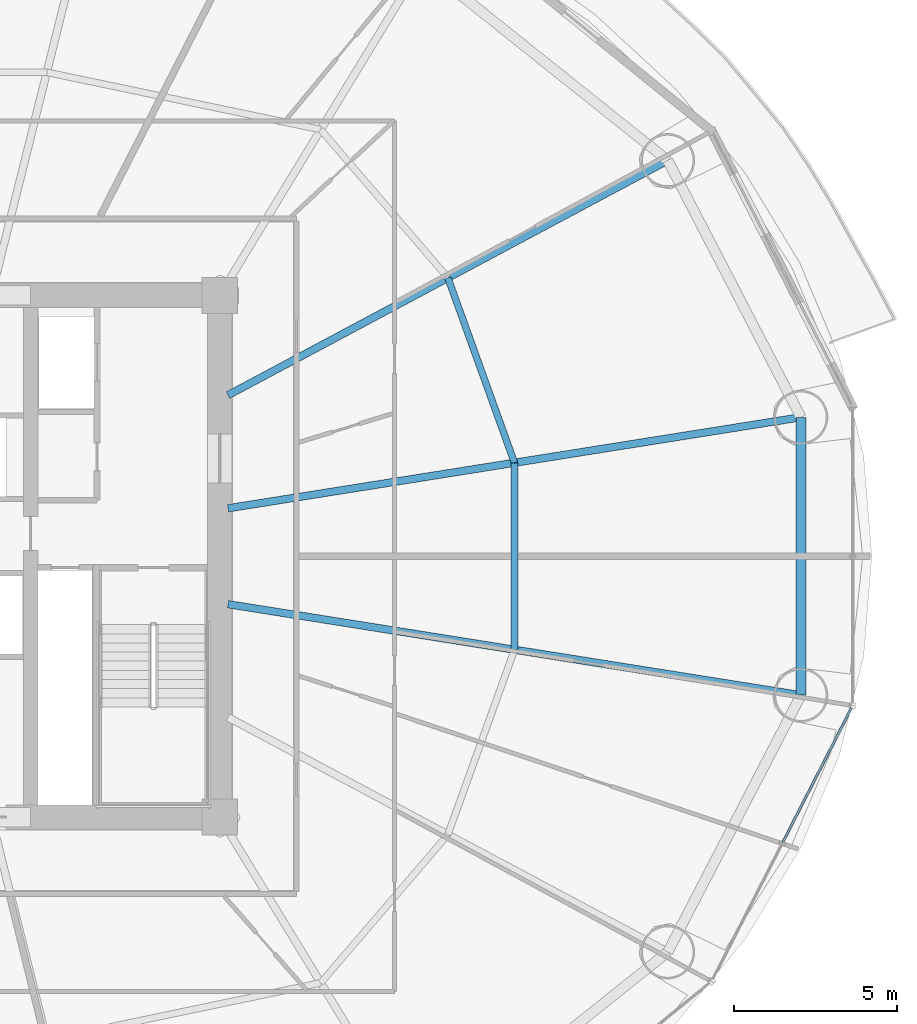
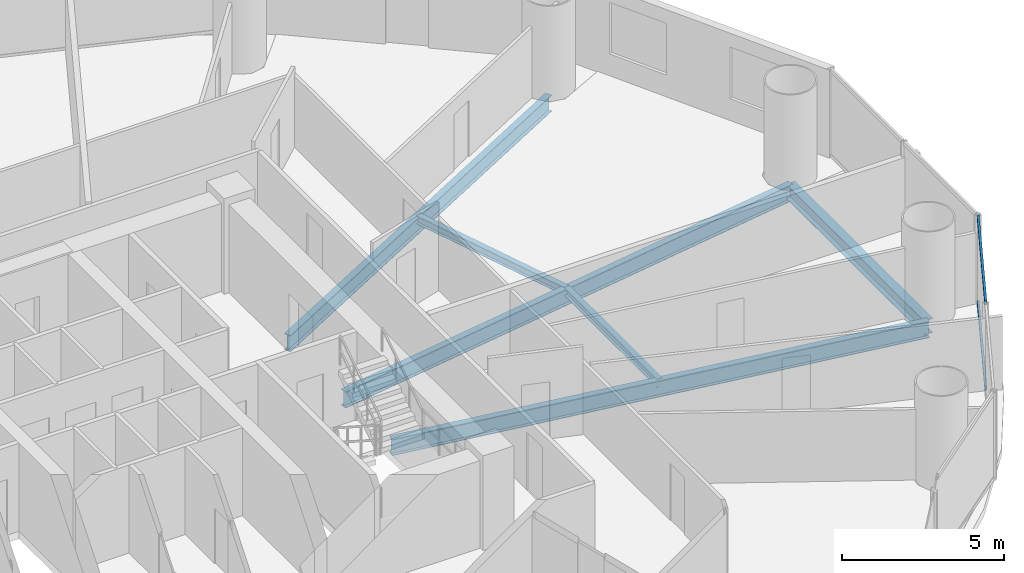
# One storey, part 13 of 29: 6 beams, 2 members, 1 element without a shape of its own.
"""IFC4 building model written with IfcOpenShell, lengths in metres."""

import ifcopenshell
import ifcopenshell.guid

model = None  # the IFC model being written
_history = None  # IfcOwnerHistory: only IFC2X3 demands one
_inside = {}  # id of a spatial element -> (the spatial element, [elements in it])
_under = {}  # id of a project, library or spatial element -> (it, [spatial elements below it])
_declared = {}  # id of a project -> (the project, [libraries it declares])
_typed = {}  # id of a type object -> (the type object, [elements of that type])
_made_of = {}  # id of a material, layer set ... -> (it, [elements and type objects made of it])


def new_model(schema):
    """Start an empty IFC model of exactly this schema.

    Asked for "IFC4X3", IfcOpenShell would pick the latest addendum, in which some entities
    have other attributes; the version numbers below select the first issue.
    IFC2X3 requires an IfcOwnerHistory on every rooted entity: one is made here for all.
    """
    global model, _history
    if schema == "IFC4X3":
        model = ifcopenshell.file(schema_version=(4, 3, 0, 0))
    else:
        model = ifcopenshell.file(schema=schema)
    _inside.clear()
    _under.clear()
    _declared.clear()
    _typed.clear()
    _made_of.clear()
    _history = None
    if model.schema == "IFC2X3":
        org = make("IfcOrganization", Name="unknown")
        user = make(
            "IfcPersonAndOrganization",
            ThePerson=make("IfcPerson", FamilyName="unknown"),
            TheOrganization=org,
        )
        app = make(
            "IfcApplication",
            ApplicationDeveloper=org,
            Version="unknown",
            ApplicationFullName="unknown",
            ApplicationIdentifier="unknown",
        )
        _history = make(
            "IfcOwnerHistory",
            OwningUser=user,
            OwningApplication=app,
            ChangeAction="ADDED",
            CreationDate=0,
        )
    return model


def make(cls, **values):
    """One entity of the class cls with the attributes given. An attribute that is None is left unset."""
    return model.create_entity(
        cls, **{name: value for name, value in values.items() if value is not None}
    )


def rooted(cls, **values):
    """An entity with a GlobalId (a new one), such as an element, a storey or a relation."""
    return make(cls, GlobalId=ifcopenshell.guid.new(), OwnerHistory=_history, **values)


def si_unit(unit_type, name, prefix=None):
    """IfcSIUnit, for example si_unit("LENGTHUNIT", "METRE", prefix="MILLI")."""
    return make("IfcSIUnit", UnitType=unit_type, Prefix=prefix, Name=name)


def assignment(units):
    """IfcUnitAssignment: the units of a project."""
    return None if units is None else make("IfcUnitAssignment", Units=units)


def point(xyz):
    """IfcCartesianPoint."""
    return None if xyz is None else make("IfcCartesianPoint", Coordinates=xyz)


def direction(xyz):
    """IfcDirection."""
    return None if xyz is None else make("IfcDirection", DirectionRatios=xyz)


def frame(location, z_axis=None, x_axis=None):
    """IfcAxis2Placement3D, a coordinate frame: its origin and axes. An axis left out is left unset."""
    return make(
        "IfcAxis2Placement3D",
        Location=point(location),
        Axis=direction(z_axis),
        RefDirection=direction(x_axis),
    )


def frame_2d(location, x_axis=None):
    """IfcAxis2Placement2D, a coordinate frame in the plane: its origin and x axis."""
    return make(
        "IfcAxis2Placement2D", Location=point(location), RefDirection=direction(x_axis)
    )


def origin():
    """The frame at (0, 0, 0) with its axes left unset."""
    return frame((0.0, 0.0, 0.0))


def origin_2d():
    """The frame at (0, 0) in the plane with its x axis left unset."""
    return frame_2d((0.0, 0.0))


def place(relative_to, where):
    """IfcLocalPlacement: puts the frame where relative to a parent placement (None: the world)."""
    return make(
        "IfcLocalPlacement", PlacementRelTo=relative_to, RelativePlacement=where
    )


def context(
    kind, dimensions, precision=None, world=None, true_north=None, identifier=None
):
    """IfcGeometricRepresentationContext, for example the 3D "Model" context."""
    return make(
        "IfcGeometricRepresentationContext",
        ContextIdentifier=identifier,
        ContextType=kind,
        CoordinateSpaceDimension=dimensions,
        Precision=precision,
        WorldCoordinateSystem=world,
        TrueNorth=true_north,
    )


def subcontext(parent, identifier, kind, view, scale=None):
    """IfcGeometricRepresentationSubContext, for example "Body" below "Model"."""
    return make(
        "IfcGeometricRepresentationSubContext",
        ContextIdentifier=identifier,
        ContextType=kind,
        ParentContext=parent,
        TargetScale=scale,
        TargetView=view,
    )


def project(units=None, contexts=None):
    """IfcProject with its units and contexts."""
    return rooted(
        "IfcProject",
        Name="project",
        RepresentationContexts=contexts,
        UnitsInContext=assignment(units),
    )


def spatial(cls, under=None, at=None, **own):
    """A site, building, storey or space (cls), placed at a placement, below another one or the project."""
    s = rooted(cls, ObjectPlacement=at, **own)
    if under is not None:
        _under.setdefault(under.id(), (under, []))[1].append(s)
    return s


def profile(cls, at=None, kind="AREA", **sizes):
    """A parametric profile (cls). Its sizes go by their IFC names, for example OverallWidth=200.0."""
    return make(cls, ProfileType=kind, Position=at, **sizes)


def hollow_rectangle(**sizes):
    """IfcRectangleHollowProfileDef."""
    return profile("IfcRectangleHollowProfileDef", **sizes)


def i_section(**sizes):
    """IfcIShapeProfileDef."""
    return profile("IfcIShapeProfileDef", **sizes)


def extrude(swept, where, along, depth):
    """IfcExtrudedAreaSolid: the profile swept, set in the frame where, extruded along a direction by depth."""
    return make(
        "IfcExtrudedAreaSolid",
        SweptArea=swept,
        Position=where,
        ExtrudedDirection=direction(along),
        Depth=depth,
    )


def shape(context_of_items, identifier, shape_type, items):
    """IfcShapeRepresentation: the items that make up one representation, for example the "Body"."""
    return make(
        "IfcShapeRepresentation",
        ContextOfItems=context_of_items,
        RepresentationIdentifier=identifier,
        RepresentationType=shape_type,
        Items=items,
    )


def source(mapping_origin, context_of_items, identifier, shape_type, items):
    """IfcRepresentationMap: a shape defined once, which mapped items show again and again."""
    return make(
        "IfcRepresentationMap",
        MappingOrigin=mapping_origin,
        MappedRepresentation=shape(context_of_items, identifier, shape_type, items),
    )


def transform(
    local_origin,
    x_axis=None,
    y_axis=None,
    z_axis=None,
    scale=None,
    scale2=None,
    scale3=None,
    uniform=True,
):
    """IfcCartesianTransformationOperator3D, or its non-uniform kind. x_axis, y_axis, z_axis: its Axis1, 2, 3."""
    if uniform:
        return make(
            "IfcCartesianTransformationOperator3D",
            Axis1=direction(x_axis),
            Axis2=direction(y_axis),
            LocalOrigin=point(local_origin),
            Scale=scale,
            Axis3=direction(z_axis),
        )
    return make(
        "IfcCartesianTransformationOperator3DnonUniform",
        Axis1=direction(x_axis),
        Axis2=direction(y_axis),
        LocalOrigin=point(local_origin),
        Scale=scale,
        Axis3=direction(z_axis),
        Scale2=scale2,
        Scale3=scale3,
    )


def mapped(mapping_source, mapping_target):
    """IfcMappedItem: shows the shape of a source again, moved by a transform."""
    return make(
        "IfcMappedItem", MappingSource=mapping_source, MappingTarget=mapping_target
    )


def material(Name=None, Category=None):
    """IfcMaterial."""
    return make("IfcMaterial", Name=Name, Category=Category)


def material_profile(
    of_material, cross_section, Name=None, Category=None, Priority=None
):
    """IfcMaterialProfile: a cross section and its material."""
    return make(
        "IfcMaterialProfile",
        Name=Name,
        Material=of_material,
        Profile=cross_section,
        Priority=Priority,
        Category=Category,
    )


def profile_set(profiles, Name=None, composite=None):
    """IfcMaterialProfileSet."""
    return make(
        "IfcMaterialProfileSet",
        Name=Name,
        MaterialProfiles=profiles,
        CompositeProfile=composite,
    )


def made_of(thing, what):
    """Note that an element or type object is made of a material, layer set ...; save() writes the relation."""
    if what is not None:
        _made_of.setdefault(what.id(), (what, []))[1].append(thing)
    return thing


def type_object(cls, material=None, **own):
    """A type object (cls), such as IfcWallType, which elements share."""
    return made_of(rooted(cls, **own), material)


def element(
    cls,
    number,
    at=None,
    inside=None,
    cuts=None,
    type_object=None,
    material=None,
    context=None,
    identifier="Body",
    shape_type=None,
    held_by="IfcProductDefinitionShape",
    body=None,
    shapes=None,
    **own,
):
    """One element of the class cls, such as IfcWall. Its Tag is "e" and its number.

    at: its placement. inside: the storey or other place that contains it. cuts: it is an
    opening in that element (IfcRelVoidsElement). A single representation is given by context,
    identifier, shape_type and body (its items); several are given by shapes. held_by: the class
    of the entity that holds the representations. save() writes the other relations.
    """
    e = rooted(cls, Tag="e%d" % number, ObjectPlacement=at, **own)
    if body is not None:
        shapes = [shape(context, identifier, shape_type, body)]
    if shapes is not None:
        e.Representation = make(held_by, Representations=shapes)
    if inside is not None:
        _inside.setdefault(inside.id(), (inside, []))[1].append(e)
    if cuts is not None:
        rooted(
            "IfcRelVoidsElement", RelatingBuildingElement=cuts, RelatedOpeningElement=e
        )
    if type_object is not None:
        _typed.setdefault(type_object.id(), (type_object, []))[1].append(e)
    return made_of(e, material)


def aggregate(whole, parts):
    """IfcRelAggregates: a whole, such as a stair, and the parts it consists of."""
    return rooted("IfcRelAggregates", RelatingObject=whole, RelatedObjects=parts)


def save(model, path):
    """Write the relations noted so far, then the file.

    IfcRelAggregates (storeys below a building ...), IfcRelContainedInSpatialStructure (elements
    in a storey), IfcRelDefinesByType, IfcRelAssociatesMaterial and IfcRelDeclares: one each for
    every whole, place, type object, material and project.
    """
    for whole, parts in _under.values():
        aggregate(whole, parts)
    for where, things in _inside.values():
        rooted(
            "IfcRelContainedInSpatialStructure",
            RelatedElements=things,
            RelatingStructure=where,
        )
    for kind, things in _typed.values():
        rooted("IfcRelDefinesByType", RelatedObjects=things, RelatingType=kind)
    for what, things in _made_of.values():
        rooted("IfcRelAssociatesMaterial", RelatedObjects=things, RelatingMaterial=what)
    for by, libraries in _declared.values():
        rooted("IfcRelDeclares", RelatingContext=by, RelatedDefinitions=libraries)
    model.write(path)


model = new_model("IFC4")

# Units and contexts
model_context = context("Model", 3, precision=1e-05, world=origin(), true_north=direction((-0.2419218956, 0.970295726276)))
body_context = subcontext(model_context, "Body", "Model", "MODEL_VIEW")
ifc_project = project(units=[si_unit("LENGTHUNIT", "METRE"), si_unit("AREAUNIT", "SQUARE_METRE"), si_unit("VOLUMEUNIT", "CUBIC_METRE"), si_unit("PLANEANGLEUNIT", "RADIAN"), si_unit("MASSUNIT", "GRAM", prefix="KILO")], contexts=[model_context])

# Site, building, storey
site_placement = place(None, origin())
site = spatial("IfcSite", under=ifc_project, at=site_placement, CompositionType="ELEMENT")
building_placement = place(site_placement, origin())
building = spatial("IfcBuilding", under=site, at=building_placement, Name="Cobrevalo Terracotta Tower", CompositionType="ELEMENT")
storey_placement = place(building_placement, frame((0.0, 0.0, 67.199951171875)))
storey = spatial("IfcBuildingStorey", under=building, at=storey_placement, Name="L17", CompositionType="ELEMENT", Elevation=67.199951171875)

# Beams
ifc_material_1 = material(Name="Steel S355", Category="steel")
ifc_material_profile_1 = material_profile(ifc_material_1, i_section(OverallWidth=0.22998046875, OverallDepth=0.616943359375, WebThickness=0.01318359375, FlangeThickness=0.022216796875, at=origin_2d()), Name="W 610x140")
ifc_profile_set_1 = profile_set([ifc_material_profile_1], Name="Steel S355")
beam_type_1 = type_object("IfcBeamType", Name="Structural Beam W 610x140 (Steel S355)", PredefinedType="BEAM", material=ifc_profile_set_1)
beam_1_placement = place(storey_placement, frame((64.824462890625, 31.062744140625, -0.58837890625), z_axis=(-0.987607924622, -0.156941349628, 0.0), x_axis=(0.156941349628, -0.987607924622, 0.0)))
element("IfcBeam", 1, at=beam_1_placement, inside=storey, type_object=beam_type_1, Name="L17 radial floor girder 01", PredefinedType="BEAM", context=body_context, shape_type="SweptSolid", body=[
    extrude(i_section(OverallWidth=0.22998046875, OverallDepth=0.616943359375, WebThickness=0.01318359375, FlangeThickness=0.022216796875, at=origin_2d()), origin(), (0.0, 0.0, 1.0), 17.7900390625),
])
beam_2_placement = place(storey_placement, frame((60.74072265625, 38.939208984375, -0.58837890625), z_axis=(-0.88218223571, -0.470908168329, 0.0), x_axis=(0.470908168329, -0.88218223571, 0.0)))
element("IfcBeam", 2, at=beam_2_placement, inside=storey, type_object=beam_type_1, Name="L17 radial floor girder 02", PredefinedType="BEAM", context=body_context, shape_type="SweptSolid", body=[
    extrude(i_section(OverallWidth=0.22998046875, OverallDepth=0.616943359375, WebThickness=0.01318359375, FlangeThickness=0.022216796875, at=origin_2d()), origin(), (0.0, 0.0, 1.0), 15.286865234375),
])
beam_3_placement = place(storey_placement, frame((64.824462890625, 22.537353515625, -0.58837890625), z_axis=(-0.987607924622, 0.156941349628, 0.0), x_axis=(-0.156941349628, -0.987607924622, 0.0)))
element("IfcBeam", 3, at=beam_3_placement, inside=storey, type_object=beam_type_1, Name="L17 radial floor girder 16", PredefinedType="BEAM", context=body_context, shape_type="SweptSolid", body=[
    extrude(i_section(OverallWidth=0.22998046875, OverallDepth=0.616943359375, WebThickness=0.01318359375, FlangeThickness=0.022216796875, at=origin_2d()), origin(), (0.0, 0.0, 1.0), 17.7900390625),
])
ifc_material_profile_2 = material_profile(ifc_material_1, i_section(OverallWidth=0.2041015625, OverallDepth=0.305908203125, WebThickness=0.008544921875, FlangeThickness=0.0146484375, at=origin_2d()), Name="W 310x67")
ifc_profile_set_2 = profile_set([ifc_material_profile_2], Name="Steel S355")
beam_type_2 = type_object("IfcBeamType", Name="Structural Joist W 310x67 (Steel S355)", PredefinedType="JOIST", material=ifc_profile_set_2)
beam_4_placement = place(storey_placement, frame((56.039794921875, 29.666748046875, -0.432861328125), z_axis=(-0.338672151116, 0.940904444701, 0.0), x_axis=(-0.940904444701, -0.338672151116, 0.0)))
element("IfcBeam", 4, at=beam_4_placement, inside=storey, type_object=beam_type_2, Name="L17 circumferential secondary floor joist 01", PredefinedType="JOIST", context=body_context, shape_type="SweptSolid", body=[
    extrude(i_section(OverallWidth=0.2041015625, OverallDepth=0.305908203125, WebThickness=0.008544921875, FlangeThickness=0.0146484375, at=origin_2d()), origin(), (0.0, 0.0, 1.0), 6.029296875),
])
beam_5_placement = place(storey_placement, frame((56.039794921875, 23.933349609375, -0.432861328125), z_axis=(0.0, 1.0, 0.0), x_axis=(-1.0, 0.0, 0.0)))
element("IfcBeam", 5, at=beam_5_placement, inside=storey, type_object=beam_type_2, Name="L17 circumferential secondary floor joist 16", PredefinedType="JOIST", context=body_context, shape_type="SweptSolid", body=[
    extrude(i_section(OverallWidth=0.2041015625, OverallDepth=0.305908203125, WebThickness=0.008544921875, FlangeThickness=0.0146484375, at=origin_2d()), origin(), (0.0, 0.0, 1.0), 5.7333984375),
])
ifc_material_profile_3 = material_profile(ifc_material_1, i_section(OverallWidth=0.31201171875, OverallDepth=0.54296875, WebThickness=0.0126953125, FlangeThickness=0.020263671875, at=origin_2d()), Name="W 530x150")
ifc_profile_set_3 = profile_set([ifc_material_profile_3], Name="Steel S355")
beam_type_3 = type_object("IfcBeamType", Name="Structural Spandrel W 530x150 (Steel S355)", PredefinedType="SPANDREL", material=ifc_profile_set_3)
beam_6_placement = place(storey_placement, frame((64.824462890625, 22.537353515625, -0.551513671875), z_axis=(0.0, 1.0, 0.0), x_axis=(-1.0, 0.0, 0.0)))
element("IfcBeam", 6, at=beam_6_placement, inside=storey, type_object=beam_type_3, Name="L17 perimeter ring spandrel 16", PredefinedType="SPANDREL", context=body_context, shape_type="SweptSolid", body=[
    extrude(i_section(OverallWidth=0.31201171875, OverallDepth=0.54296875, WebThickness=0.0126953125, FlangeThickness=0.020263671875, at=origin_2d()), origin(), (0.0, 0.0, 1.0), 8.525390625),
])

# Curtain wall, members
ifc_material_2 = material(Name="Anodized aluminium", Category="aluminium")
curtain_wall_type = type_object("IfcCurtainWallType", Name="Lower-tower unitised acoustic low-E curtain wall CW-U1", PredefinedType="NOTDEFINED", material=ifc_material_2)
curtain_wall_placement = place(storey_placement, origin())
curtain_wall = element("IfcCurtainWall", 7, at=curtain_wall_placement, inside=storey, type_object=curtain_wall_type, Name="L17 curtain wall CW-L17-S15", PredefinedType="NOTDEFINED")
ifc_material_profile_4 = material_profile(ifc_material_2, hollow_rectangle(XDim=0.074951171875, YDim=0.14990234375, WallThickness=0.00439453125, at=origin_2d()), Name="CWT 75x150")
ifc_profile_set_4 = profile_set([ifc_material_profile_4], Name="Anodized aluminium")
member_type = type_object("IfcMemberType", Name="Tower unitised aluminium transom 75x150", PredefinedType="USERDEFINED", material=ifc_profile_set_4)
shared_shape = source(origin(), body_context, "Body", "SweptSolid", [
    extrude(hollow_rectangle(XDim=0.074951171875, YDim=0.14990234375, WallThickness=0.00439453125, at=origin_2d()), origin(), (0.0, 0.0, 1.0), 4.630859375),
])
member_1_placement = place(storey_placement, frame((64.268798828125, 18.026611328125, 0.050048828125), z_axis=(0.455229952508, 0.890373904795, 0.0), x_axis=(-0.890373904795, 0.455229952508, 0.0)))
member_1 = element("IfcMember", 8, at=member_1_placement, type_object=member_type, Name="CW-L17-S15 transom B02-T1", ObjectType="TRANSOM", PredefinedType="USERDEFINED", context=body_context, shape_type="MappedRepresentation", body=[
    mapped(shared_shape, transform((0.0, 0.0, 0.0), scale=1.0)),
])
member_2_placement = place(storey_placement, frame((64.268798828125, 18.026611328125, 3.27001953125), z_axis=(0.455229952508, 0.890373904795, 0.0), x_axis=(-0.890373904795, 0.455229952508, 0.0)))
member_2 = element("IfcMember", 9, at=member_2_placement, type_object=member_type, Name="CW-L17-S15 transom B02-T2", ObjectType="TRANSOM", PredefinedType="USERDEFINED", context=body_context, shape_type="MappedRepresentation", body=[
    mapped(shared_shape, transform((0.0, 0.0, 0.0), scale=1.0)),
])
aggregate(curtain_wall, [member_1, member_2])

save(model, "model.ifc")
